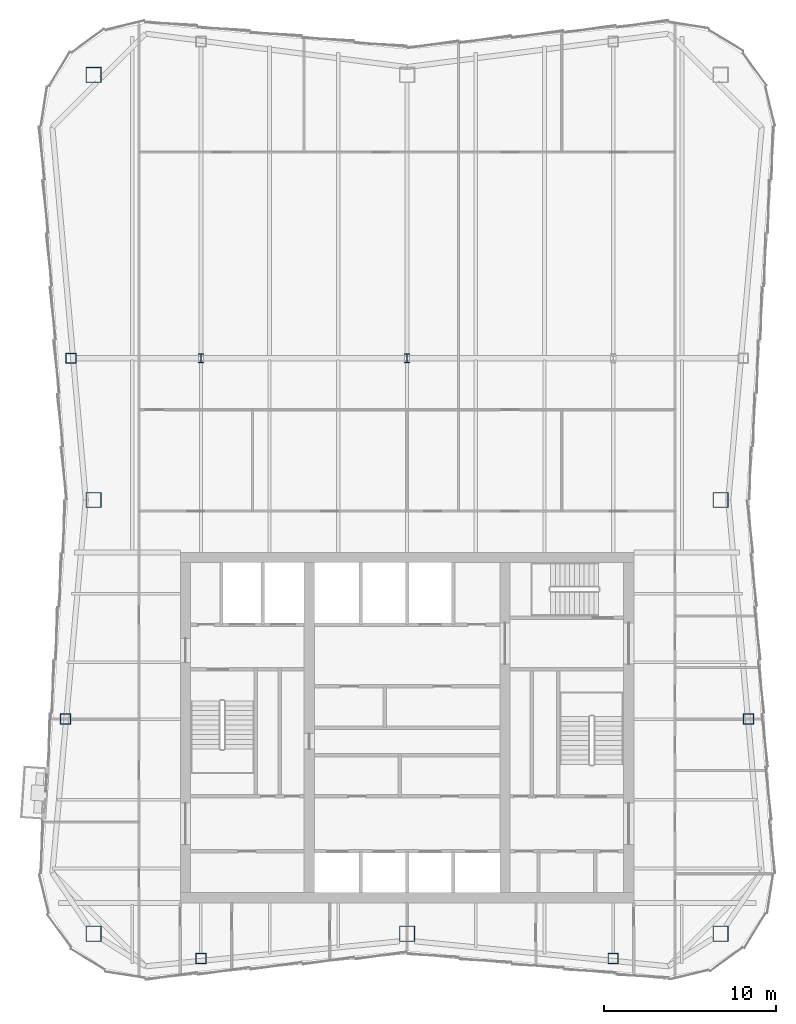
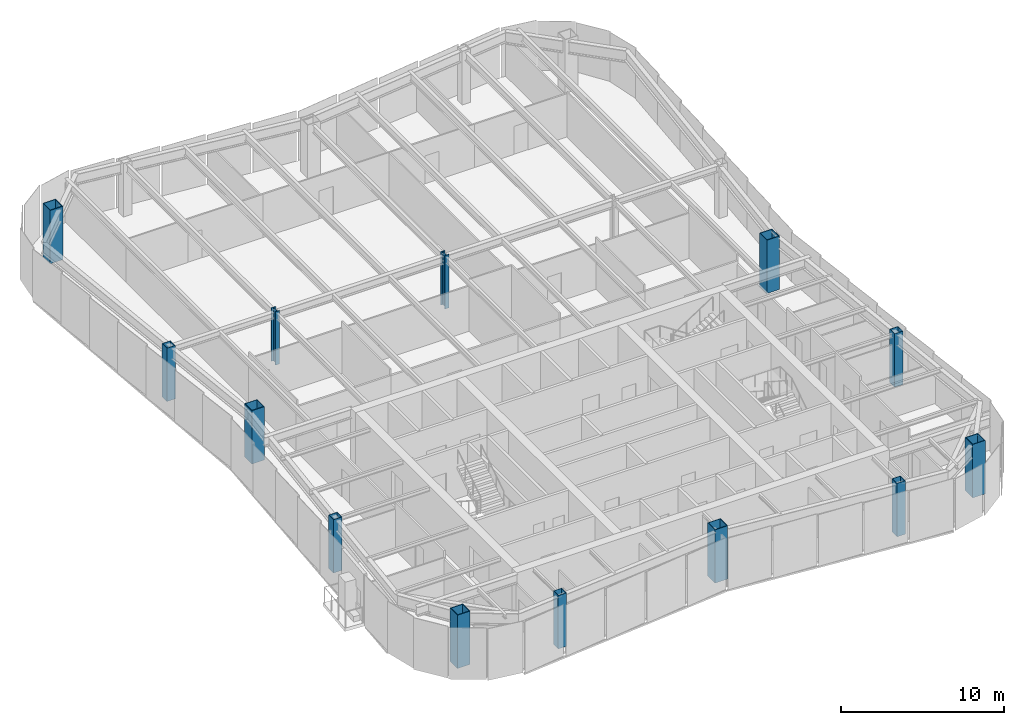
# One storey, part 1 of 10: 13 columns.
"""IFC4 building model written with IfcOpenShell, lengths in metres."""

import ifcopenshell
import ifcopenshell.guid

model = None  # the IFC model being written
_history = None  # IfcOwnerHistory: only IFC2X3 demands one
_inside = {}  # id of a spatial element -> (the spatial element, [elements in it])
_under = {}  # id of a project, library or spatial element -> (it, [spatial elements below it])
_declared = {}  # id of a project -> (the project, [libraries it declares])
_typed = {}  # id of a type object -> (the type object, [elements of that type])
_made_of = {}  # id of a material, layer set ... -> (it, [elements and type objects made of it])


def new_model(schema):
    """Start an empty IFC model of exactly this schema.

    Asked for "IFC4X3", IfcOpenShell would pick the latest addendum, in which some entities
    have other attributes; the version numbers below select the first issue.
    IFC2X3 requires an IfcOwnerHistory on every rooted entity: one is made here for all.
    """
    global model, _history
    if schema == "IFC4X3":
        model = ifcopenshell.file(schema_version=(4, 3, 0, 0))
    else:
        model = ifcopenshell.file(schema=schema)
    _inside.clear()
    _under.clear()
    _declared.clear()
    _typed.clear()
    _made_of.clear()
    _history = None
    if model.schema == "IFC2X3":
        org = make("IfcOrganization", Name="unknown")
        user = make(
            "IfcPersonAndOrganization",
            ThePerson=make("IfcPerson", FamilyName="unknown"),
            TheOrganization=org,
        )
        app = make(
            "IfcApplication",
            ApplicationDeveloper=org,
            Version="unknown",
            ApplicationFullName="unknown",
            ApplicationIdentifier="unknown",
        )
        _history = make(
            "IfcOwnerHistory",
            OwningUser=user,
            OwningApplication=app,
            ChangeAction="ADDED",
            CreationDate=0,
        )
    return model


def make(cls, **values):
    """One entity of the class cls with the attributes given. An attribute that is None is left unset."""
    return model.create_entity(
        cls, **{name: value for name, value in values.items() if value is not None}
    )


def rooted(cls, **values):
    """An entity with a GlobalId (a new one), such as an element, a storey or a relation."""
    return make(cls, GlobalId=ifcopenshell.guid.new(), OwnerHistory=_history, **values)


def si_unit(unit_type, name, prefix=None):
    """IfcSIUnit, for example si_unit("LENGTHUNIT", "METRE", prefix="MILLI")."""
    return make("IfcSIUnit", UnitType=unit_type, Prefix=prefix, Name=name)


def assignment(units):
    """IfcUnitAssignment: the units of a project."""
    return None if units is None else make("IfcUnitAssignment", Units=units)


def point(xyz):
    """IfcCartesianPoint."""
    return None if xyz is None else make("IfcCartesianPoint", Coordinates=xyz)


def direction(xyz):
    """IfcDirection."""
    return None if xyz is None else make("IfcDirection", DirectionRatios=xyz)


def frame(location, z_axis=None, x_axis=None):
    """IfcAxis2Placement3D, a coordinate frame: its origin and axes. An axis left out is left unset."""
    return make(
        "IfcAxis2Placement3D",
        Location=point(location),
        Axis=direction(z_axis),
        RefDirection=direction(x_axis),
    )


def frame_2d(location, x_axis=None):
    """IfcAxis2Placement2D, a coordinate frame in the plane: its origin and x axis."""
    return make(
        "IfcAxis2Placement2D", Location=point(location), RefDirection=direction(x_axis)
    )


def origin():
    """The frame at (0, 0, 0) with its axes left unset."""
    return frame((0.0, 0.0, 0.0))


def origin_2d():
    """The frame at (0, 0) in the plane with its x axis left unset."""
    return frame_2d((0.0, 0.0))


def place(relative_to, where):
    """IfcLocalPlacement: puts the frame where relative to a parent placement (None: the world)."""
    return make(
        "IfcLocalPlacement", PlacementRelTo=relative_to, RelativePlacement=where
    )


def context(
    kind, dimensions, precision=None, world=None, true_north=None, identifier=None
):
    """IfcGeometricRepresentationContext, for example the 3D "Model" context."""
    return make(
        "IfcGeometricRepresentationContext",
        ContextIdentifier=identifier,
        ContextType=kind,
        CoordinateSpaceDimension=dimensions,
        Precision=precision,
        WorldCoordinateSystem=world,
        TrueNorth=true_north,
    )


def subcontext(parent, identifier, kind, view, scale=None):
    """IfcGeometricRepresentationSubContext, for example "Body" below "Model"."""
    return make(
        "IfcGeometricRepresentationSubContext",
        ContextIdentifier=identifier,
        ContextType=kind,
        ParentContext=parent,
        TargetScale=scale,
        TargetView=view,
    )


def project(units=None, contexts=None):
    """IfcProject with its units and contexts."""
    return rooted(
        "IfcProject",
        Name="project",
        RepresentationContexts=contexts,
        UnitsInContext=assignment(units),
    )


def spatial(cls, under=None, at=None, **own):
    """A site, building, storey or space (cls), placed at a placement, below another one or the project."""
    s = rooted(cls, ObjectPlacement=at, **own)
    if under is not None:
        _under.setdefault(under.id(), (under, []))[1].append(s)
    return s


def profile(cls, at=None, kind="AREA", **sizes):
    """A parametric profile (cls). Its sizes go by their IFC names, for example OverallWidth=200.0."""
    return make(cls, ProfileType=kind, Position=at, **sizes)


def hollow_rectangle(**sizes):
    """IfcRectangleHollowProfileDef."""
    return profile("IfcRectangleHollowProfileDef", **sizes)


def i_section(**sizes):
    """IfcIShapeProfileDef."""
    return profile("IfcIShapeProfileDef", **sizes)


def extrude(swept, where, along, depth):
    """IfcExtrudedAreaSolid: the profile swept, set in the frame where, extruded along a direction by depth."""
    return make(
        "IfcExtrudedAreaSolid",
        SweptArea=swept,
        Position=where,
        ExtrudedDirection=direction(along),
        Depth=depth,
    )


def shape(context_of_items, identifier, shape_type, items):
    """IfcShapeRepresentation: the items that make up one representation, for example the "Body"."""
    return make(
        "IfcShapeRepresentation",
        ContextOfItems=context_of_items,
        RepresentationIdentifier=identifier,
        RepresentationType=shape_type,
        Items=items,
    )


def material(Name=None, Category=None):
    """IfcMaterial."""
    return make("IfcMaterial", Name=Name, Category=Category)


def material_profile(
    of_material, cross_section, Name=None, Category=None, Priority=None
):
    """IfcMaterialProfile: a cross section and its material."""
    return make(
        "IfcMaterialProfile",
        Name=Name,
        Material=of_material,
        Profile=cross_section,
        Priority=Priority,
        Category=Category,
    )


def profile_set(profiles, Name=None, composite=None):
    """IfcMaterialProfileSet."""
    return make(
        "IfcMaterialProfileSet",
        Name=Name,
        MaterialProfiles=profiles,
        CompositeProfile=composite,
    )


def made_of(thing, what):
    """Note that an element or type object is made of a material, layer set ...; save() writes the relation."""
    if what is not None:
        _made_of.setdefault(what.id(), (what, []))[1].append(thing)
    return thing


def type_object(cls, material=None, **own):
    """A type object (cls), such as IfcWallType, which elements share."""
    return made_of(rooted(cls, **own), material)


def element(
    cls,
    number,
    at=None,
    inside=None,
    cuts=None,
    type_object=None,
    material=None,
    context=None,
    identifier="Body",
    shape_type=None,
    held_by="IfcProductDefinitionShape",
    body=None,
    shapes=None,
    **own,
):
    """One element of the class cls, such as IfcWall. Its Tag is "e" and its number.

    at: its placement. inside: the storey or other place that contains it. cuts: it is an
    opening in that element (IfcRelVoidsElement). A single representation is given by context,
    identifier, shape_type and body (its items); several are given by shapes. held_by: the class
    of the entity that holds the representations. save() writes the other relations.
    """
    e = rooted(cls, Tag="e%d" % number, ObjectPlacement=at, **own)
    if body is not None:
        shapes = [shape(context, identifier, shape_type, body)]
    if shapes is not None:
        e.Representation = make(held_by, Representations=shapes)
    if inside is not None:
        _inside.setdefault(inside.id(), (inside, []))[1].append(e)
    if cuts is not None:
        rooted(
            "IfcRelVoidsElement", RelatingBuildingElement=cuts, RelatedOpeningElement=e
        )
    if type_object is not None:
        _typed.setdefault(type_object.id(), (type_object, []))[1].append(e)
    return made_of(e, material)


def aggregate(whole, parts):
    """IfcRelAggregates: a whole, such as a stair, and the parts it consists of."""
    return rooted("IfcRelAggregates", RelatingObject=whole, RelatedObjects=parts)


def save(model, path):
    """Write the relations noted so far, then the file.

    IfcRelAggregates (storeys below a building ...), IfcRelContainedInSpatialStructure (elements
    in a storey), IfcRelDefinesByType, IfcRelAssociatesMaterial and IfcRelDeclares: one each for
    every whole, place, type object, material and project.
    """
    for whole, parts in _under.values():
        aggregate(whole, parts)
    for where, things in _inside.values():
        rooted(
            "IfcRelContainedInSpatialStructure",
            RelatedElements=things,
            RelatingStructure=where,
        )
    for kind, things in _typed.values():
        rooted("IfcRelDefinesByType", RelatedObjects=things, RelatingType=kind)
    for what, things in _made_of.values():
        rooted("IfcRelAssociatesMaterial", RelatedObjects=things, RelatingMaterial=what)
    for by, libraries in _declared.values():
        rooted("IfcRelDeclares", RelatingContext=by, RelatedDefinitions=libraries)
    model.write(path)


model = new_model("IFC4")

# Units and contexts
model_context = context("Model", 3, precision=1e-05, world=origin(), true_north=direction((0.0, 1.0)))
body_context = subcontext(model_context, "Body", "Model", "MODEL_VIEW")
ifc_project = project(units=[si_unit("LENGTHUNIT", "METRE"), si_unit("AREAUNIT", "SQUARE_METRE"), si_unit("VOLUMEUNIT", "CUBIC_METRE"), si_unit("PLANEANGLEUNIT", "RADIAN"), si_unit("MASSUNIT", "GRAM", prefix="KILO")], contexts=[model_context])

# Site, building, storey
site_placement = place(None, origin())
site = spatial("IfcSite", under=ifc_project, at=site_placement, CompositionType="ELEMENT")
building_placement = place(site_placement, origin())
building = spatial("IfcBuilding", under=site, at=building_placement, Name="Verdant Reach Tower", CompositionType="ELEMENT")
storey_placement = place(building_placement, frame((0.0, 0.0, 326.0)))
storey = spatial("IfcBuildingStorey", under=building, at=storey_placement, Name="L75", CompositionType="ELEMENT", Elevation=326.0)

# Columns
ifc_material = material(Name="Steel S460", Category="steel")
ifc_material_profile_1 = material_profile(ifc_material, i_section(OverallWidth=0.305908203125, OverallDepth=0.52392578125, WebThickness=0.012451171875, FlangeThickness=0.0400390625, FilletRadius=0.027099609375, at=origin_2d()), Name="HEM 500")
ifc_profile_set_1 = profile_set([ifc_material_profile_1], Name="Steel S460")
column_type_1 = type_object("IfcColumnType", Name="ST-COL-HEM500", PredefinedType="COLUMN", material=ifc_profile_set_1)
for number, where, z_axis, x_axis, name in (
    (1, (-12.0, 49.5, 0.0), (0.0, 0.0, 1.0), (1.0, 0.0, 0.0), "Interior column 1, L75"),
    (2, (0.0, 49.5, 0.0), (0.0, 0.0, 1.0), (1.0, 0.0, 0.0), "Interior column 2, L75"),
):
    element("IfcColumn", number, at=place(storey_placement, frame(where, z_axis=z_axis, x_axis=x_axis)), inside=storey, type_object=column_type_1, Name=name, PredefinedType="COLUMN", context=body_context, shape_type="SweptSolid", body=[
        extrude(i_section(OverallWidth=0.305908203125, OverallDepth=0.52392578125, WebThickness=0.012451171875, FlangeThickness=0.0400390625, FilletRadius=0.027099609375, at=origin_2d()), origin(), (0.0, 0.0, 1.0), 4.0),
    ])
ifc_material_profile_2 = material_profile(ifc_material, hollow_rectangle(XDim=0.60009765625, YDim=0.60009765625, WallThickness=0.02490234375, at=origin_2d()), Name="WB 600x600x25")
ifc_profile_set_2 = profile_set([ifc_material_profile_2], Name="Steel S460")
column_type_2 = type_object("IfcColumnType", Name="ST-COL-WB600x600x25", PredefinedType="COLUMN", material=ifc_profile_set_2)
for number, where, z_axis, x_axis, name in (
    (3, (-12.0, 14.569580078125, 0.0), (0.0, 0.0, 1.0), (1.0, 0.0, 0.0), "Perimeter column south 1, L75"),
    (4, (12.0, 14.569580078125, 0.0), (0.0, 0.0, 1.0), (1.0, 0.0, 0.0), "Perimeter column south 2, L75"),
    (5, (19.87939453125, 28.5, 0.0), (0.0, 0.0, 1.0), (1.0, 0.0, 0.0), "Perimeter column east 1, L75"),
    (6, (-19.87939453125, 28.5, 0.0), (0.0, 0.0, 1.0), (1.0, 0.0, 0.0), "Perimeter column west 1, L75"),
    (7, (-19.569091796875, 49.5, 0.0), (0.0, 0.0, 1.0), (1.0, 0.0, 0.0), "Perimeter column west 2, L75"),
):
    element("IfcColumn", number, at=place(storey_placement, frame(where, z_axis=z_axis, x_axis=x_axis)), inside=storey, type_object=column_type_2, Name=name, PredefinedType="COLUMN", context=body_context, shape_type="SweptSolid", body=[
        extrude(hollow_rectangle(XDim=0.60009765625, YDim=0.60009765625, WallThickness=0.02490234375, at=origin_2d()), origin(), (0.0, 0.0, 1.0), 4.0),
    ])
ifc_material_profile_3 = material_profile(ifc_material, hollow_rectangle(XDim=0.89990234375, YDim=0.89990234375, WallThickness=0.0400390625, at=origin_2d()), Name="WB 900x900x40")
ifc_profile_set_3 = profile_set([ifc_material_profile_3], Name="Steel S460")
column_type_3 = type_object("IfcColumnType", Name="ST-COL-WB900x900x40", PredefinedType="COLUMN", material=ifc_profile_set_3)
for number, where, z_axis, x_axis, name in (
    (8, (-18.25, 66.0, 0.0), (0.0, 0.0, 1.0), (1.0, 0.0, 0.0), "Mega column north-west, L75"),
    (9, (18.25, 41.25, 0.0), (0.0, 0.0, 1.0), (1.0, 0.0, 0.0), "Mega column east, L75"),
    (10, (18.25, 16.0, 0.0), (0.0, 0.0, 1.0), (1.0, 0.0, 0.0), "Mega column south-east, L75"),
    (11, (0.0, 16.0, 0.0), (0.0, 0.0, 1.0), (1.0, 0.0, 0.0), "Mega column south, L75"),
    (12, (-18.25, 16.0, 0.0), (0.0, 0.0, 1.0), (1.0, 0.0, 0.0), "Mega column south-west, L75"),
    (13, (-18.25, 41.25, 0.0), (0.0, 0.0, 1.0), (1.0, 0.0, 0.0), "Mega column west, L75"),
):
    element("IfcColumn", number, at=place(storey_placement, frame(where, z_axis=z_axis, x_axis=x_axis)), inside=storey, type_object=column_type_3, Name=name, PredefinedType="COLUMN", context=body_context, shape_type="SweptSolid", body=[
        extrude(hollow_rectangle(XDim=0.89990234375, YDim=0.89990234375, WallThickness=0.0400390625, at=origin_2d()), origin(), (0.0, 0.0, 1.0), 4.0),
    ])

save(model, "model.ifc")
